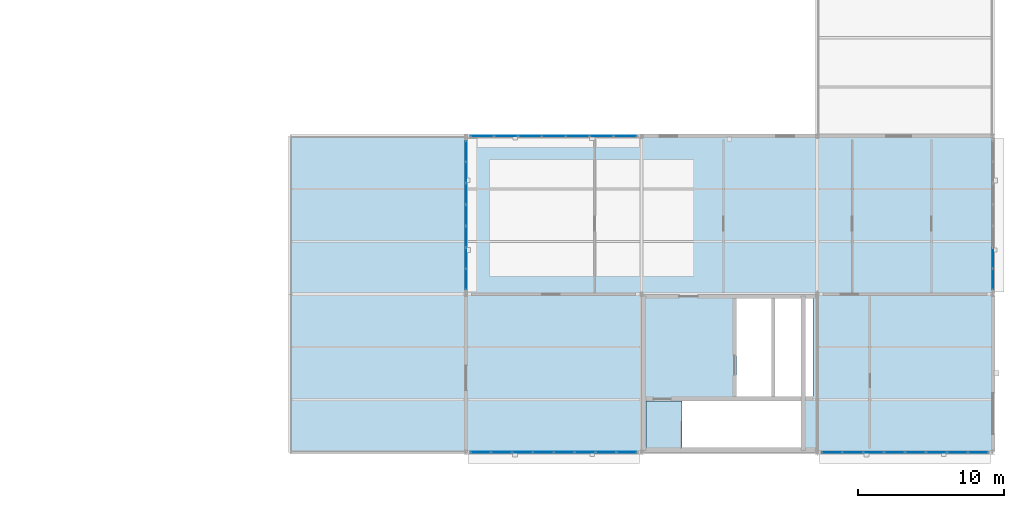
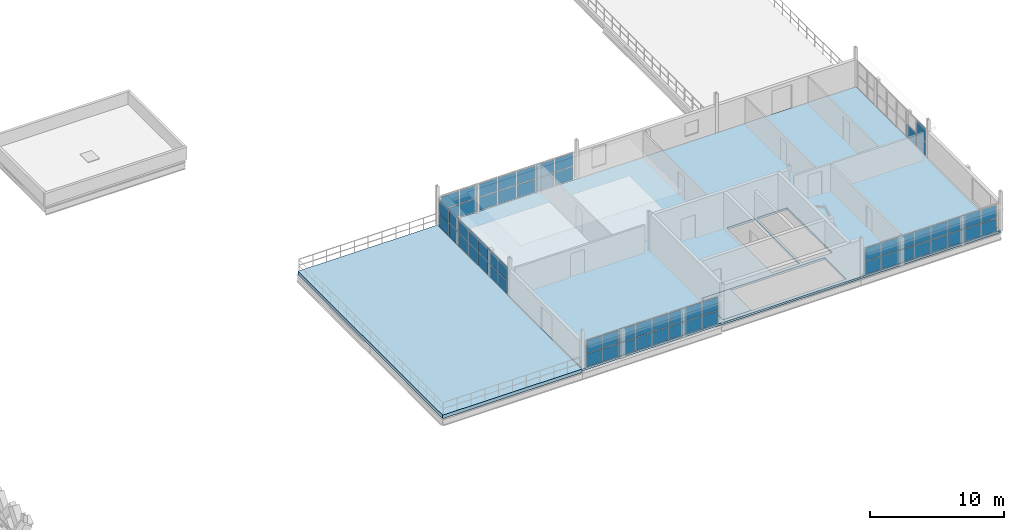
# One storey, part 39 of 62: 63 plates, 3 slabs, 5 elements without a shape of their own.
"""IFC4 building model written with IfcOpenShell, lengths in metres."""

import ifcopenshell
import ifcopenshell.guid

model = None  # the IFC model being written
_history = None  # IfcOwnerHistory: only IFC2X3 demands one
_inside = {}  # id of a spatial element -> (the spatial element, [elements in it])
_under = {}  # id of a project, library or spatial element -> (it, [spatial elements below it])
_declared = {}  # id of a project -> (the project, [libraries it declares])
_typed = {}  # id of a type object -> (the type object, [elements of that type])
_made_of = {}  # id of a material, layer set ... -> (it, [elements and type objects made of it])


def new_model(schema):
    """Start an empty IFC model of exactly this schema.

    Asked for "IFC4X3", IfcOpenShell would pick the latest addendum, in which some entities
    have other attributes; the version numbers below select the first issue.
    IFC2X3 requires an IfcOwnerHistory on every rooted entity: one is made here for all.
    """
    global model, _history
    if schema == "IFC4X3":
        model = ifcopenshell.file(schema_version=(4, 3, 0, 0))
    else:
        model = ifcopenshell.file(schema=schema)
    _inside.clear()
    _under.clear()
    _declared.clear()
    _typed.clear()
    _made_of.clear()
    _history = None
    if model.schema == "IFC2X3":
        org = make("IfcOrganization", Name="unknown")
        user = make(
            "IfcPersonAndOrganization",
            ThePerson=make("IfcPerson", FamilyName="unknown"),
            TheOrganization=org,
        )
        app = make(
            "IfcApplication",
            ApplicationDeveloper=org,
            Version="unknown",
            ApplicationFullName="unknown",
            ApplicationIdentifier="unknown",
        )
        _history = make(
            "IfcOwnerHistory",
            OwningUser=user,
            OwningApplication=app,
            ChangeAction="ADDED",
            CreationDate=0,
        )
    return model


def make(cls, **values):
    """One entity of the class cls with the attributes given. An attribute that is None is left unset."""
    return model.create_entity(
        cls, **{name: value for name, value in values.items() if value is not None}
    )


def rooted(cls, **values):
    """An entity with a GlobalId (a new one), such as an element, a storey or a relation."""
    return make(cls, GlobalId=ifcopenshell.guid.new(), OwnerHistory=_history, **values)


def si_unit(unit_type, name, prefix=None):
    """IfcSIUnit, for example si_unit("LENGTHUNIT", "METRE", prefix="MILLI")."""
    return make("IfcSIUnit", UnitType=unit_type, Prefix=prefix, Name=name)


def assignment(units):
    """IfcUnitAssignment: the units of a project."""
    return None if units is None else make("IfcUnitAssignment", Units=units)


def point(xyz):
    """IfcCartesianPoint."""
    return None if xyz is None else make("IfcCartesianPoint", Coordinates=xyz)


def direction(xyz):
    """IfcDirection."""
    return None if xyz is None else make("IfcDirection", DirectionRatios=xyz)


def frame(location, z_axis=None, x_axis=None):
    """IfcAxis2Placement3D, a coordinate frame: its origin and axes. An axis left out is left unset."""
    return make(
        "IfcAxis2Placement3D",
        Location=point(location),
        Axis=direction(z_axis),
        RefDirection=direction(x_axis),
    )


def frame_2d(location, x_axis=None):
    """IfcAxis2Placement2D, a coordinate frame in the plane: its origin and x axis."""
    return make(
        "IfcAxis2Placement2D", Location=point(location), RefDirection=direction(x_axis)
    )


def origin():
    """The frame at (0, 0, 0) with its axes left unset."""
    return frame((0.0, 0.0, 0.0))


def origin_2d():
    """The frame at (0, 0) in the plane with its x axis left unset."""
    return frame_2d((0.0, 0.0))


def place(relative_to, where):
    """IfcLocalPlacement: puts the frame where relative to a parent placement (None: the world)."""
    return make(
        "IfcLocalPlacement", PlacementRelTo=relative_to, RelativePlacement=where
    )


def context(
    kind, dimensions, precision=None, world=None, true_north=None, identifier=None
):
    """IfcGeometricRepresentationContext, for example the 3D "Model" context."""
    return make(
        "IfcGeometricRepresentationContext",
        ContextIdentifier=identifier,
        ContextType=kind,
        CoordinateSpaceDimension=dimensions,
        Precision=precision,
        WorldCoordinateSystem=world,
        TrueNorth=true_north,
    )


def subcontext(parent, identifier, kind, view, scale=None):
    """IfcGeometricRepresentationSubContext, for example "Body" below "Model"."""
    return make(
        "IfcGeometricRepresentationSubContext",
        ContextIdentifier=identifier,
        ContextType=kind,
        ParentContext=parent,
        TargetScale=scale,
        TargetView=view,
    )


def project(units=None, contexts=None):
    """IfcProject with its units and contexts."""
    return rooted(
        "IfcProject",
        Name="project",
        RepresentationContexts=contexts,
        UnitsInContext=assignment(units),
    )


def spatial(cls, under=None, at=None, **own):
    """A site, building, storey or space (cls), placed at a placement, below another one or the project."""
    s = rooted(cls, ObjectPlacement=at, **own)
    if under is not None:
        _under.setdefault(under.id(), (under, []))[1].append(s)
    return s


def polyline(points):
    """IfcPolyline through the points."""
    return make("IfcPolyline", Points=[point(p) for p in points])


def profile(cls, at=None, kind="AREA", **sizes):
    """A parametric profile (cls). Its sizes go by their IFC names, for example OverallWidth=200.0."""
    return make(cls, ProfileType=kind, Position=at, **sizes)


def rectangle(**sizes):
    """IfcRectangleProfileDef."""
    return profile("IfcRectangleProfileDef", **sizes)


def outline(outer, holes=None, kind="AREA"):
    """IfcArbitraryClosedProfileDef: a profile drawn as a closed curve; with holes, ...WithVoids."""
    if holes is None:
        return make("IfcArbitraryClosedProfileDef", ProfileType=kind, OuterCurve=outer)
    return make(
        "IfcArbitraryProfileDefWithVoids",
        ProfileType=kind,
        OuterCurve=outer,
        InnerCurves=holes,
    )


def extrude(swept, where, along, depth):
    """IfcExtrudedAreaSolid: the profile swept, set in the frame where, extruded along a direction by depth."""
    return make(
        "IfcExtrudedAreaSolid",
        SweptArea=swept,
        Position=where,
        ExtrudedDirection=direction(along),
        Depth=depth,
    )


def shape(context_of_items, identifier, shape_type, items):
    """IfcShapeRepresentation: the items that make up one representation, for example the "Body"."""
    return make(
        "IfcShapeRepresentation",
        ContextOfItems=context_of_items,
        RepresentationIdentifier=identifier,
        RepresentationType=shape_type,
        Items=items,
    )


def material(Name=None, Category=None):
    """IfcMaterial."""
    return make("IfcMaterial", Name=Name, Category=Category)


def layer(
    of_material, thickness, ventilated=None, Name=None, Category=None, Priority=None
):
    """IfcMaterialLayer: one layer of a wall or slab, of a material (None: an air gap)."""
    return make(
        "IfcMaterialLayer",
        Material=of_material,
        LayerThickness=thickness,
        IsVentilated=ventilated,
        Name=Name,
        Category=Category,
        Priority=Priority,
    )


def layer_set(layers, Name=None):
    """IfcMaterialLayerSet."""
    return make("IfcMaterialLayerSet", MaterialLayers=layers, LayerSetName=Name)


def made_of(thing, what):
    """Note that an element or type object is made of a material, layer set ...; save() writes the relation."""
    if what is not None:
        _made_of.setdefault(what.id(), (what, []))[1].append(thing)
    return thing


def type_object(cls, material=None, **own):
    """A type object (cls), such as IfcWallType, which elements share."""
    return made_of(rooted(cls, **own), material)


def element(
    cls,
    number,
    at=None,
    inside=None,
    cuts=None,
    type_object=None,
    material=None,
    context=None,
    identifier="Body",
    shape_type=None,
    held_by="IfcProductDefinitionShape",
    body=None,
    shapes=None,
    **own,
):
    """One element of the class cls, such as IfcWall. Its Tag is "e" and its number.

    at: its placement. inside: the storey or other place that contains it. cuts: it is an
    opening in that element (IfcRelVoidsElement). A single representation is given by context,
    identifier, shape_type and body (its items); several are given by shapes. held_by: the class
    of the entity that holds the representations. save() writes the other relations.
    """
    e = rooted(cls, Tag="e%d" % number, ObjectPlacement=at, **own)
    if body is not None:
        shapes = [shape(context, identifier, shape_type, body)]
    if shapes is not None:
        e.Representation = make(held_by, Representations=shapes)
    if inside is not None:
        _inside.setdefault(inside.id(), (inside, []))[1].append(e)
    if cuts is not None:
        rooted(
            "IfcRelVoidsElement", RelatingBuildingElement=cuts, RelatedOpeningElement=e
        )
    if type_object is not None:
        _typed.setdefault(type_object.id(), (type_object, []))[1].append(e)
    return made_of(e, material)


def aggregate(whole, parts):
    """IfcRelAggregates: a whole, such as a stair, and the parts it consists of."""
    return rooted("IfcRelAggregates", RelatingObject=whole, RelatedObjects=parts)


def save(model, path):
    """Write the relations noted so far, then the file.

    IfcRelAggregates (storeys below a building ...), IfcRelContainedInSpatialStructure (elements
    in a storey), IfcRelDefinesByType, IfcRelAssociatesMaterial and IfcRelDeclares: one each for
    every whole, place, type object, material and project.
    """
    for whole, parts in _under.values():
        aggregate(whole, parts)
    for where, things in _inside.values():
        rooted(
            "IfcRelContainedInSpatialStructure",
            RelatedElements=things,
            RelatingStructure=where,
        )
    for kind, things in _typed.values():
        rooted("IfcRelDefinesByType", RelatedObjects=things, RelatingType=kind)
    for what, things in _made_of.values():
        rooted("IfcRelAssociatesMaterial", RelatedObjects=things, RelatingMaterial=what)
    for by, libraries in _declared.values():
        rooted("IfcRelDeclares", RelatingContext=by, RelatedDefinitions=libraries)
    model.write(path)


model = new_model("IFC4")

# Units and contexts
model_context = context("Model", 3, precision=1e-05, world=origin(), true_north=direction((0.0, 1.0)))
body_context = subcontext(model_context, "Body", "Model", "MODEL_VIEW")
ifc_project = project(units=[si_unit("LENGTHUNIT", "METRE"), si_unit("AREAUNIT", "SQUARE_METRE"), si_unit("VOLUMEUNIT", "CUBIC_METRE"), si_unit("PLANEANGLEUNIT", "RADIAN"), si_unit("MASSUNIT", "GRAM", prefix="KILO"), si_unit("THERMODYNAMICTEMPERATUREUNIT", "KELVIN"), si_unit("POWERUNIT", "WATT")], contexts=[model_context])

# Site, building, storey
site_placement = place(None, origin())
site = spatial("IfcSite", under=ifc_project, at=site_placement, CompositionType="ELEMENT")
building_placement = place(site_placement, origin())
building = spatial("IfcBuilding", under=site, at=building_placement, Name="Tembeka Court Mobility Hub", CompositionType="ELEMENT")
storey_placement = place(building_placement, frame((0.0, 0.0, 16.199951171875)))
storey = spatial("IfcBuildingStorey", under=building, at=storey_placement, Name="L04", CompositionType="ELEMENT", Elevation=16.199951171875)

# Curtain wall, plates
ifc_material_1 = material(Name="Anodised aluminium 6063-T6", Category="aluminium")
ifc_layer_1 = layer(ifc_material_1, 0.159912109375)
ifc_layer_set_1 = layer_set([ifc_layer_1], Name="Anodised aluminium 6063-T6")
curtain_wall_type_1 = type_object("IfcCurtainWallType", Name="CW-SYS41", PredefinedType="USERDEFINED", material=ifc_layer_set_1)
curtain_wall_1_placement = place(storey_placement, origin())
curtain_wall_1 = element("IfcCurtainWall", 1, at=curtain_wall_1_placement, inside=storey, type_object=curtain_wall_type_1, Name="Unitised curtain wall CW41 (CW-L04-145)", ObjectType="UNITISED GLAZING", PredefinedType="USERDEFINED")
ifc_material_2 = material(Name="Laminated solar-control low-E glass", Category="glass")
ifc_layer_2 = layer(ifc_material_2, 0.028076171875)
ifc_layer_set_2 = layer_set([ifc_layer_2], Name="Laminated solar-control low-E glass")
plate_type_1 = type_object("IfcPlateType", Name="PL-CW01", PredefinedType="CURTAIN_PANEL", material=ifc_layer_set_2)
plate_1_placement = place(storey_placement, frame((165.4111328125, 0.0, 0.065185546875), z_axis=(0.0, 0.0, 1.0), x_axis=(1.0, 0.0, 0.0)))
plate_1 = element("IfcPlate", 2, at=plate_1_placement, type_object=plate_type_1, Name="CW41 panel 1.1", PredefinedType="CURTAIN_PANEL", context=body_context, shape_type="SweptSolid", body=[
    extrude(rectangle(XDim=1.33251953125, YDim=0.028076171875, at=origin_2d()), origin(), (0.0, 0.0, 1.0), 1.169921875),
])
plate_2_placement = place(storey_placement, frame((165.4111328125, 0.0, 1.300048828125), z_axis=(0.0, 0.0, 1.0), x_axis=(1.0, 0.0, 0.0)))
plate_2 = element("IfcPlate", 3, at=plate_2_placement, type_object=plate_type_1, Name="CW41 panel 1.2", PredefinedType="CURTAIN_PANEL", context=body_context, shape_type="SweptSolid", body=[
    extrude(rectangle(XDim=1.33251953125, YDim=0.028076171875, at=origin_2d()), origin(), (0.0, 0.0, 1.0), 1.169921875),
])
plate_3_placement = place(storey_placement, frame((166.824951171875, 0.0, 0.065185546875), z_axis=(0.0, 0.0, 1.0), x_axis=(1.0, 0.0, 0.0)))
plate_3 = element("IfcPlate", 4, at=plate_3_placement, type_object=plate_type_1, Name="CW41 panel 2.1", PredefinedType="CURTAIN_PANEL", context=body_context, shape_type="SweptSolid", body=[
    extrude(rectangle(XDim=1.364990234375, YDim=0.028076171875, at=origin_2d()), origin(), (0.0, 0.0, 1.0), 1.169921875),
])
plate_4_placement = place(storey_placement, frame((166.824951171875, 0.0, 1.300048828125), z_axis=(0.0, 0.0, 1.0), x_axis=(1.0, 0.0, 0.0)))
plate_4 = element("IfcPlate", 5, at=plate_4_placement, type_object=plate_type_1, Name="CW41 panel 2.2", PredefinedType="CURTAIN_PANEL", context=body_context, shape_type="SweptSolid", body=[
    extrude(rectangle(XDim=1.364990234375, YDim=0.028076171875, at=origin_2d()), origin(), (0.0, 0.0, 1.0), 1.169921875),
])
plate_5_placement = place(storey_placement, frame((168.2548828125, 0.0, 0.065185546875), z_axis=(0.0, 0.0, 1.0), x_axis=(1.0, 0.0, 0.0)))
plate_5 = element("IfcPlate", 6, at=plate_5_placement, type_object=plate_type_1, Name="CW41 panel 3.1", PredefinedType="CURTAIN_PANEL", context=body_context, shape_type="SweptSolid", body=[
    extrude(rectangle(XDim=1.364990234375, YDim=0.028076171875, at=origin_2d()), origin(), (0.0, 0.0, 1.0), 1.169921875),
])
plate_6_placement = place(storey_placement, frame((168.2548828125, 0.0, 1.300048828125), z_axis=(0.0, 0.0, 1.0), x_axis=(1.0, 0.0, 0.0)))
plate_6 = element("IfcPlate", 7, at=plate_6_placement, type_object=plate_type_1, Name="CW41 panel 3.2", PredefinedType="CURTAIN_PANEL", context=body_context, shape_type="SweptSolid", body=[
    extrude(rectangle(XDim=1.364990234375, YDim=0.028076171875, at=origin_2d()), origin(), (0.0, 0.0, 1.0), 1.169921875),
])
plate_7_placement = place(storey_placement, frame((169.68505859375, 0.0, 0.065185546875), z_axis=(0.0, 0.0, 1.0), x_axis=(1.0, 0.0, 0.0)))
plate_7 = element("IfcPlate", 8, at=plate_7_placement, type_object=plate_type_1, Name="CW41 panel 4.1", PredefinedType="CURTAIN_PANEL", context=body_context, shape_type="SweptSolid", body=[
    extrude(rectangle(XDim=1.364990234375, YDim=0.028076171875, at=origin_2d()), origin(), (0.0, 0.0, 1.0), 1.169921875),
])
plate_8_placement = place(storey_placement, frame((169.68505859375, 0.0, 1.300048828125), z_axis=(0.0, 0.0, 1.0), x_axis=(1.0, 0.0, 0.0)))
plate_8 = element("IfcPlate", 9, at=plate_8_placement, type_object=plate_type_1, Name="CW41 panel 4.2", PredefinedType="CURTAIN_PANEL", context=body_context, shape_type="SweptSolid", body=[
    extrude(rectangle(XDim=1.364990234375, YDim=0.028076171875, at=origin_2d()), origin(), (0.0, 0.0, 1.0), 1.169921875),
])
plate_9_placement = place(storey_placement, frame((171.114990234375, 0.0, 0.065185546875), z_axis=(0.0, 0.0, 1.0), x_axis=(1.0, 0.0, 0.0)))
plate_9 = element("IfcPlate", 10, at=plate_9_placement, type_object=plate_type_1, Name="CW41 panel 5.1", PredefinedType="CURTAIN_PANEL", context=body_context, shape_type="SweptSolid", body=[
    extrude(rectangle(XDim=1.364990234375, YDim=0.028076171875, at=origin_2d()), origin(), (0.0, 0.0, 1.0), 1.169921875),
])
plate_10_placement = place(storey_placement, frame((171.114990234375, 0.0, 1.300048828125), z_axis=(0.0, 0.0, 1.0), x_axis=(1.0, 0.0, 0.0)))
plate_10 = element("IfcPlate", 11, at=plate_10_placement, type_object=plate_type_1, Name="CW41 panel 5.2", PredefinedType="CURTAIN_PANEL", context=body_context, shape_type="SweptSolid", body=[
    extrude(rectangle(XDim=1.364990234375, YDim=0.028076171875, at=origin_2d()), origin(), (0.0, 0.0, 1.0), 1.169921875),
])
plate_11_placement = place(storey_placement, frame((172.544921875, 0.0, 0.065185546875), z_axis=(0.0, 0.0, 1.0), x_axis=(1.0, 0.0, 0.0)))
plate_11 = element("IfcPlate", 12, at=plate_11_placement, type_object=plate_type_1, Name="CW41 panel 6.1", PredefinedType="CURTAIN_PANEL", context=body_context, shape_type="SweptSolid", body=[
    extrude(rectangle(XDim=1.364990234375, YDim=0.028076171875, at=origin_2d()), origin(), (0.0, 0.0, 1.0), 1.169921875),
])
plate_12_placement = place(storey_placement, frame((172.544921875, 0.0, 1.300048828125), z_axis=(0.0, 0.0, 1.0), x_axis=(1.0, 0.0, 0.0)))
plate_12 = element("IfcPlate", 13, at=plate_12_placement, type_object=plate_type_1, Name="CW41 panel 6.2", PredefinedType="CURTAIN_PANEL", context=body_context, shape_type="SweptSolid", body=[
    extrude(rectangle(XDim=1.364990234375, YDim=0.028076171875, at=origin_2d()), origin(), (0.0, 0.0, 1.0), 1.169921875),
])
plate_13_placement = place(storey_placement, frame((173.97509765625, 0.0, 0.065185546875), z_axis=(0.0, 0.0, 1.0), x_axis=(1.0, 0.0, 0.0)))
plate_13 = element("IfcPlate", 14, at=plate_13_placement, type_object=plate_type_1, Name="CW41 panel 7.1", PredefinedType="CURTAIN_PANEL", context=body_context, shape_type="SweptSolid", body=[
    extrude(rectangle(XDim=1.364990234375, YDim=0.028076171875, at=origin_2d()), origin(), (0.0, 0.0, 1.0), 1.169921875),
])
plate_14_placement = place(storey_placement, frame((173.97509765625, 0.0, 1.300048828125), z_axis=(0.0, 0.0, 1.0), x_axis=(1.0, 0.0, 0.0)))
plate_14 = element("IfcPlate", 15, at=plate_14_placement, type_object=plate_type_1, Name="CW41 panel 7.2", PredefinedType="CURTAIN_PANEL", context=body_context, shape_type="SweptSolid", body=[
    extrude(rectangle(XDim=1.364990234375, YDim=0.028076171875, at=origin_2d()), origin(), (0.0, 0.0, 1.0), 1.169921875),
])
plate_15_placement = place(storey_placement, frame((175.388671875, 0.0, 0.065185546875), z_axis=(0.0, 0.0, 1.0), x_axis=(1.0, 0.0, 0.0)))
plate_15 = element("IfcPlate", 16, at=plate_15_placement, type_object=plate_type_1, Name="CW41 panel 8.1", PredefinedType="CURTAIN_PANEL", context=body_context, shape_type="SweptSolid", body=[
    extrude(rectangle(XDim=1.33251953125, YDim=0.028076171875, at=origin_2d()), origin(), (0.0, 0.0, 1.0), 1.169921875),
])
plate_16_placement = place(storey_placement, frame((175.388671875, 0.0, 1.300048828125), z_axis=(0.0, 0.0, 1.0), x_axis=(1.0, 0.0, 0.0)))
plate_16 = element("IfcPlate", 17, at=plate_16_placement, type_object=plate_type_1, Name="CW41 panel 8.2", PredefinedType="CURTAIN_PANEL", context=body_context, shape_type="SweptSolid", body=[
    extrude(rectangle(XDim=1.33251953125, YDim=0.028076171875, at=origin_2d()), origin(), (0.0, 0.0, 1.0), 1.169921875),
])
aggregate(curtain_wall_1, [plate_1, plate_2, plate_3, plate_4, plate_5, plate_6, plate_7, plate_8, plate_9, plate_10, plate_11, plate_12, plate_13, plate_14, plate_15, plate_16])

ifc_layer_3 = layer(ifc_material_1, 0.159912109375)
ifc_layer_set_3 = layer_set([ifc_layer_3], Name="Anodised aluminium 6063-T6")
curtain_wall_type_2 = type_object("IfcCurtainWallType", Name="CW-SYS42", PredefinedType="USERDEFINED", material=ifc_layer_set_3)
curtain_wall_2_placement = place(storey_placement, origin())
curtain_wall_2 = element("IfcCurtainWall", 18, at=curtain_wall_2_placement, inside=storey, type_object=curtain_wall_type_2, Name="Unitised curtain wall CW42 (CW-L04-146)", ObjectType="UNITISED GLAZING", PredefinedType="USERDEFINED")
plate_17_placement = place(storey_placement, frame((176.39990234375, 11.82763671875, 0.065185546875), z_axis=(0.0, 0.0, 1.0), x_axis=(0.0, 1.0, 0.0)))
plate_17 = element("IfcPlate", 19, at=plate_17_placement, type_object=plate_type_1, Name="CW42 panel 1.1", PredefinedType="CURTAIN_PANEL", context=body_context, shape_type="SweptSolid", body=[
    extrude(rectangle(XDim=1.365478515625, YDim=0.028076171875, at=origin_2d()), origin(), (0.0, 0.0, 1.0), 1.169921875),
])
plate_18_placement = place(storey_placement, frame((176.39990234375, 11.82763671875, 1.300048828125), z_axis=(0.0, 0.0, 1.0), x_axis=(0.0, 1.0, 0.0)))
plate_18 = element("IfcPlate", 20, at=plate_18_placement, type_object=plate_type_1, Name="CW42 panel 1.2", PredefinedType="CURTAIN_PANEL", context=body_context, shape_type="SweptSolid", body=[
    extrude(rectangle(XDim=1.365478515625, YDim=0.028076171875, at=origin_2d()), origin(), (0.0, 0.0, 1.0), 1.169921875),
])
plate_19_placement = place(storey_placement, frame((176.39990234375, 13.274169921875, 0.065185546875), z_axis=(0.0, 0.0, 1.0), x_axis=(0.0, 1.0, 0.0)))
plate_19 = element("IfcPlate", 21, at=plate_19_placement, type_object=plate_type_1, Name="CW42 panel 2.1", PredefinedType="CURTAIN_PANEL", context=body_context, shape_type="SweptSolid", body=[
    extrude(rectangle(XDim=1.39794921875, YDim=0.028076171875, at=origin_2d()), origin(), (0.0, 0.0, 1.0), 1.169921875),
])
aggregate(curtain_wall_2, [plate_17, plate_18, plate_19])

curtain_wall_3_placement = place(storey_placement, origin())
curtain_wall_3 = element("IfcCurtainWall", 22, at=curtain_wall_3_placement, inside=storey, type_object=curtain_wall_type_1, Name="Unitised curtain wall CW41 (CW-L04-147)", ObjectType="UNITISED GLAZING", PredefinedType="USERDEFINED")
plate_20_placement = place(storey_placement, frame((141.513427734375, 21.60009765625, 0.065185546875), z_axis=(0.0, 0.0, 1.0), x_axis=(1.0, 0.0, 0.0)))
plate_20 = element("IfcPlate", 23, at=plate_20_placement, type_object=plate_type_1, Name="CW41 panel 1.1", PredefinedType="CURTAIN_PANEL", context=body_context, shape_type="SweptSolid", body=[
    extrude(rectangle(XDim=1.536865234375, YDim=0.028076171875, at=origin_2d()), origin(), (0.0, 0.0, 1.0), 1.169921875),
])
plate_21_placement = place(storey_placement, frame((141.513427734375, 21.60009765625, 1.300048828125), z_axis=(0.0, 0.0, 1.0), x_axis=(1.0, 0.0, 0.0)))
plate_21 = element("IfcPlate", 24, at=plate_21_placement, type_object=plate_type_1, Name="CW41 panel 1.2", PredefinedType="CURTAIN_PANEL", context=body_context, shape_type="SweptSolid", body=[
    extrude(rectangle(XDim=1.536865234375, YDim=0.028076171875, at=origin_2d()), origin(), (0.0, 0.0, 1.0), 1.169921875),
])
plate_22_placement = place(storey_placement, frame((143.13134765625, 21.60009765625, 0.065185546875), z_axis=(0.0, 0.0, 1.0), x_axis=(1.0, 0.0, 0.0)))
plate_22 = element("IfcPlate", 25, at=plate_22_placement, type_object=plate_type_1, Name="CW41 panel 2.1", PredefinedType="CURTAIN_PANEL", context=body_context, shape_type="SweptSolid", body=[
    extrude(rectangle(XDim=1.5693359375, YDim=0.028076171875, at=origin_2d()), origin(), (0.0, 0.0, 1.0), 1.169921875),
])
plate_23_placement = place(storey_placement, frame((143.13134765625, 21.60009765625, 1.300048828125), z_axis=(0.0, 0.0, 1.0), x_axis=(1.0, 0.0, 0.0)))
plate_23 = element("IfcPlate", 26, at=plate_23_placement, type_object=plate_type_1, Name="CW41 panel 2.2", PredefinedType="CURTAIN_PANEL", context=body_context, shape_type="SweptSolid", body=[
    extrude(rectangle(XDim=1.5693359375, YDim=0.028076171875, at=origin_2d()), origin(), (0.0, 0.0, 1.0), 1.169921875),
])
plate_24_placement = place(storey_placement, frame((144.765625, 21.60009765625, 0.065185546875), z_axis=(0.0, 0.0, 1.0), x_axis=(1.0, 0.0, 0.0)))
plate_24 = element("IfcPlate", 27, at=plate_24_placement, type_object=plate_type_1, Name="CW41 panel 3.1", PredefinedType="CURTAIN_PANEL", context=body_context, shape_type="SweptSolid", body=[
    extrude(rectangle(XDim=1.5693359375, YDim=0.028076171875, at=origin_2d()), origin(), (0.0, 0.0, 1.0), 1.169921875),
])
plate_25_placement = place(storey_placement, frame((144.765625, 21.60009765625, 1.300048828125), z_axis=(0.0, 0.0, 1.0), x_axis=(1.0, 0.0, 0.0)))
plate_25 = element("IfcPlate", 28, at=plate_25_placement, type_object=plate_type_1, Name="CW41 panel 3.2", PredefinedType="CURTAIN_PANEL", context=body_context, shape_type="SweptSolid", body=[
    extrude(rectangle(XDim=1.5693359375, YDim=0.028076171875, at=origin_2d()), origin(), (0.0, 0.0, 1.0), 1.169921875),
])
plate_26_placement = place(storey_placement, frame((146.39990234375, 21.60009765625, 0.065185546875), z_axis=(0.0, 0.0, 1.0), x_axis=(1.0, 0.0, 0.0)))
plate_26 = element("IfcPlate", 29, at=plate_26_placement, type_object=plate_type_1, Name="CW41 panel 4.1", PredefinedType="CURTAIN_PANEL", context=body_context, shape_type="SweptSolid", body=[
    extrude(rectangle(XDim=1.5693359375, YDim=0.028076171875, at=origin_2d()), origin(), (0.0, 0.0, 1.0), 1.169921875),
])
plate_27_placement = place(storey_placement, frame((146.39990234375, 21.60009765625, 1.300048828125), z_axis=(0.0, 0.0, 1.0), x_axis=(1.0, 0.0, 0.0)))
plate_27 = element("IfcPlate", 30, at=plate_27_placement, type_object=plate_type_1, Name="CW41 panel 4.2", PredefinedType="CURTAIN_PANEL", context=body_context, shape_type="SweptSolid", body=[
    extrude(rectangle(XDim=1.5693359375, YDim=0.028076171875, at=origin_2d()), origin(), (0.0, 0.0, 1.0), 1.169921875),
])
plate_28_placement = place(storey_placement, frame((148.0341796875, 21.60009765625, 0.065185546875), z_axis=(0.0, 0.0, 1.0), x_axis=(1.0, 0.0, 0.0)))
plate_28 = element("IfcPlate", 31, at=plate_28_placement, type_object=plate_type_1, Name="CW41 panel 5.1", PredefinedType="CURTAIN_PANEL", context=body_context, shape_type="SweptSolid", body=[
    extrude(rectangle(XDim=1.5693359375, YDim=0.028076171875, at=origin_2d()), origin(), (0.0, 0.0, 1.0), 1.169921875),
])
plate_29_placement = place(storey_placement, frame((148.0341796875, 21.60009765625, 1.300048828125), z_axis=(0.0, 0.0, 1.0), x_axis=(1.0, 0.0, 0.0)))
plate_29 = element("IfcPlate", 32, at=plate_29_placement, type_object=plate_type_1, Name="CW41 panel 5.2", PredefinedType="CURTAIN_PANEL", context=body_context, shape_type="SweptSolid", body=[
    extrude(rectangle(XDim=1.5693359375, YDim=0.028076171875, at=origin_2d()), origin(), (0.0, 0.0, 1.0), 1.169921875),
])
plate_30_placement = place(storey_placement, frame((149.66845703125, 21.60009765625, 0.065185546875), z_axis=(0.0, 0.0, 1.0), x_axis=(1.0, 0.0, 0.0)))
plate_30 = element("IfcPlate", 33, at=plate_30_placement, type_object=plate_type_1, Name="CW41 panel 6.1", PredefinedType="CURTAIN_PANEL", context=body_context, shape_type="SweptSolid", body=[
    extrude(rectangle(XDim=1.5693359375, YDim=0.028076171875, at=origin_2d()), origin(), (0.0, 0.0, 1.0), 1.169921875),
])
plate_31_placement = place(storey_placement, frame((149.66845703125, 21.60009765625, 1.300048828125), z_axis=(0.0, 0.0, 1.0), x_axis=(1.0, 0.0, 0.0)))
plate_31 = element("IfcPlate", 34, at=plate_31_placement, type_object=plate_type_1, Name="CW41 panel 6.2", PredefinedType="CURTAIN_PANEL", context=body_context, shape_type="SweptSolid", body=[
    extrude(rectangle(XDim=1.5693359375, YDim=0.028076171875, at=origin_2d()), origin(), (0.0, 0.0, 1.0), 1.169921875),
])
plate_32_placement = place(storey_placement, frame((151.28662109375, 21.60009765625, 0.065185546875), z_axis=(0.0, 0.0, 1.0), x_axis=(1.0, 0.0, 0.0)))
plate_32 = element("IfcPlate", 35, at=plate_32_placement, type_object=plate_type_1, Name="CW41 panel 7.1", PredefinedType="CURTAIN_PANEL", context=body_context, shape_type="SweptSolid", body=[
    extrude(rectangle(XDim=1.536865234375, YDim=0.028076171875, at=origin_2d()), origin(), (0.0, 0.0, 1.0), 1.169921875),
])
plate_33_placement = place(storey_placement, frame((151.28662109375, 21.60009765625, 1.300048828125), z_axis=(0.0, 0.0, 1.0), x_axis=(1.0, 0.0, 0.0)))
plate_33 = element("IfcPlate", 36, at=plate_33_placement, type_object=plate_type_1, Name="CW41 panel 7.2", PredefinedType="CURTAIN_PANEL", context=body_context, shape_type="SweptSolid", body=[
    extrude(rectangle(XDim=1.536865234375, YDim=0.028076171875, at=origin_2d()), origin(), (0.0, 0.0, 1.0), 1.169921875),
])
aggregate(curtain_wall_3, [plate_20, plate_21, plate_22, plate_23, plate_24, plate_25, plate_26, plate_27, plate_28, plate_29, plate_30, plate_31, plate_32, plate_33])

curtain_wall_4_placement = place(storey_placement, origin())
curtain_wall_4 = element("IfcCurtainWall", 37, at=curtain_wall_4_placement, inside=storey, type_object=curtain_wall_type_1, Name="Unitised curtain wall CW41 (CW-L04-144)", ObjectType="UNITISED GLAZING", PredefinedType="USERDEFINED")
ifc_material_3 = material(Name="Insulated aluminium spandrel panel", Category="aluminium")
ifc_layer_4 = layer(ifc_material_3, 0.052001953125)
ifc_layer_set_4 = layer_set([ifc_layer_4], Name="Insulated aluminium spandrel panel")
plate_type_2 = type_object("IfcPlateType", Name="PL-CW02", PredefinedType="CURTAIN_PANEL", material=ifc_layer_set_4)
plate_34_placement = place(storey_placement, frame((141.4111328125, 0.0, 0.065185546875), z_axis=(0.0, 0.0, 1.0), x_axis=(1.0, 0.0, 0.0)))
plate_34 = element("IfcPlate", 38, at=plate_34_placement, type_object=plate_type_2, Name="CW41 panel 1.1", PredefinedType="CURTAIN_PANEL", context=body_context, shape_type="SweptSolid", body=[
    extrude(rectangle(XDim=1.33251953125, YDim=0.052001953125, at=origin_2d()), origin(), (0.0, 0.0, 1.0), 1.169921875),
])
plate_35_placement = place(storey_placement, frame((141.4111328125, 0.0, 1.300048828125), z_axis=(0.0, 0.0, 1.0), x_axis=(1.0, 0.0, 0.0)))
plate_35 = element("IfcPlate", 39, at=plate_35_placement, type_object=plate_type_2, Name="CW41 panel 1.2", PredefinedType="CURTAIN_PANEL", context=body_context, shape_type="SweptSolid", body=[
    extrude(rectangle(XDim=1.33251953125, YDim=0.052001953125, at=origin_2d()), origin(), (0.0, 0.0, 1.0), 1.169921875),
])
plate_36_placement = place(storey_placement, frame((142.824951171875, 0.0, 0.065185546875), z_axis=(0.0, 0.0, 1.0), x_axis=(1.0, 0.0, 0.0)))
plate_36 = element("IfcPlate", 40, at=plate_36_placement, type_object=plate_type_2, Name="CW41 panel 2.1", PredefinedType="CURTAIN_PANEL", context=body_context, shape_type="SweptSolid", body=[
    extrude(rectangle(XDim=1.364990234375, YDim=0.052001953125, at=origin_2d()), origin(), (0.0, 0.0, 1.0), 1.169921875),
])
plate_37_placement = place(storey_placement, frame((142.824951171875, 0.0, 1.300048828125), z_axis=(0.0, 0.0, 1.0), x_axis=(1.0, 0.0, 0.0)))
plate_37 = element("IfcPlate", 41, at=plate_37_placement, type_object=plate_type_2, Name="CW41 panel 2.2", PredefinedType="CURTAIN_PANEL", context=body_context, shape_type="SweptSolid", body=[
    extrude(rectangle(XDim=1.364990234375, YDim=0.052001953125, at=origin_2d()), origin(), (0.0, 0.0, 1.0), 1.169921875),
])
plate_38_placement = place(storey_placement, frame((144.2548828125, 0.0, 0.065185546875), z_axis=(0.0, 0.0, 1.0), x_axis=(1.0, 0.0, 0.0)))
plate_38 = element("IfcPlate", 42, at=plate_38_placement, type_object=plate_type_2, Name="CW41 panel 3.1", PredefinedType="CURTAIN_PANEL", context=body_context, shape_type="SweptSolid", body=[
    extrude(rectangle(XDim=1.364990234375, YDim=0.052001953125, at=origin_2d()), origin(), (0.0, 0.0, 1.0), 1.169921875),
])
plate_39_placement = place(storey_placement, frame((144.2548828125, 0.0, 1.300048828125), z_axis=(0.0, 0.0, 1.0), x_axis=(1.0, 0.0, 0.0)))
plate_39 = element("IfcPlate", 43, at=plate_39_placement, type_object=plate_type_2, Name="CW41 panel 3.2", PredefinedType="CURTAIN_PANEL", context=body_context, shape_type="SweptSolid", body=[
    extrude(rectangle(XDim=1.364990234375, YDim=0.052001953125, at=origin_2d()), origin(), (0.0, 0.0, 1.0), 1.169921875),
])
plate_40_placement = place(storey_placement, frame((145.68505859375, 0.0, 0.065185546875), z_axis=(0.0, 0.0, 1.0), x_axis=(1.0, 0.0, 0.0)))
plate_40 = element("IfcPlate", 44, at=plate_40_placement, type_object=plate_type_2, Name="CW41 panel 4.1", PredefinedType="CURTAIN_PANEL", context=body_context, shape_type="SweptSolid", body=[
    extrude(rectangle(XDim=1.364990234375, YDim=0.052001953125, at=origin_2d()), origin(), (0.0, 0.0, 1.0), 1.169921875),
])
plate_41_placement = place(storey_placement, frame((145.68505859375, 0.0, 1.300048828125), z_axis=(0.0, 0.0, 1.0), x_axis=(1.0, 0.0, 0.0)))
plate_41 = element("IfcPlate", 45, at=plate_41_placement, type_object=plate_type_2, Name="CW41 panel 4.2", PredefinedType="CURTAIN_PANEL", context=body_context, shape_type="SweptSolid", body=[
    extrude(rectangle(XDim=1.364990234375, YDim=0.052001953125, at=origin_2d()), origin(), (0.0, 0.0, 1.0), 1.169921875),
])
plate_42_placement = place(storey_placement, frame((147.114990234375, 0.0, 0.065185546875), z_axis=(0.0, 0.0, 1.0), x_axis=(1.0, 0.0, 0.0)))
plate_42 = element("IfcPlate", 46, at=plate_42_placement, type_object=plate_type_2, Name="CW41 panel 5.1", PredefinedType="CURTAIN_PANEL", context=body_context, shape_type="SweptSolid", body=[
    extrude(rectangle(XDim=1.364990234375, YDim=0.052001953125, at=origin_2d()), origin(), (0.0, 0.0, 1.0), 1.169921875),
])
plate_43_placement = place(storey_placement, frame((147.114990234375, 0.0, 1.300048828125), z_axis=(0.0, 0.0, 1.0), x_axis=(1.0, 0.0, 0.0)))
plate_43 = element("IfcPlate", 47, at=plate_43_placement, type_object=plate_type_2, Name="CW41 panel 5.2", PredefinedType="CURTAIN_PANEL", context=body_context, shape_type="SweptSolid", body=[
    extrude(rectangle(XDim=1.364990234375, YDim=0.052001953125, at=origin_2d()), origin(), (0.0, 0.0, 1.0), 1.169921875),
])
plate_44_placement = place(storey_placement, frame((148.544921875, 0.0, 0.065185546875), z_axis=(0.0, 0.0, 1.0), x_axis=(1.0, 0.0, 0.0)))
plate_44 = element("IfcPlate", 48, at=plate_44_placement, type_object=plate_type_2, Name="CW41 panel 6.1", PredefinedType="CURTAIN_PANEL", context=body_context, shape_type="SweptSolid", body=[
    extrude(rectangle(XDim=1.364990234375, YDim=0.052001953125, at=origin_2d()), origin(), (0.0, 0.0, 1.0), 1.169921875),
])
plate_45_placement = place(storey_placement, frame((148.544921875, 0.0, 1.300048828125), z_axis=(0.0, 0.0, 1.0), x_axis=(1.0, 0.0, 0.0)))
plate_45 = element("IfcPlate", 49, at=plate_45_placement, type_object=plate_type_2, Name="CW41 panel 6.2", PredefinedType="CURTAIN_PANEL", context=body_context, shape_type="SweptSolid", body=[
    extrude(rectangle(XDim=1.364990234375, YDim=0.052001953125, at=origin_2d()), origin(), (0.0, 0.0, 1.0), 1.169921875),
])
plate_46_placement = place(storey_placement, frame((149.97509765625, 0.0, 0.065185546875), z_axis=(0.0, 0.0, 1.0), x_axis=(1.0, 0.0, 0.0)))
plate_46 = element("IfcPlate", 50, at=plate_46_placement, type_object=plate_type_2, Name="CW41 panel 7.1", PredefinedType="CURTAIN_PANEL", context=body_context, shape_type="SweptSolid", body=[
    extrude(rectangle(XDim=1.364990234375, YDim=0.052001953125, at=origin_2d()), origin(), (0.0, 0.0, 1.0), 1.169921875),
])
plate_47_placement = place(storey_placement, frame((149.97509765625, 0.0, 1.300048828125), z_axis=(0.0, 0.0, 1.0), x_axis=(1.0, 0.0, 0.0)))
plate_47 = element("IfcPlate", 51, at=plate_47_placement, type_object=plate_type_2, Name="CW41 panel 7.2", PredefinedType="CURTAIN_PANEL", context=body_context, shape_type="SweptSolid", body=[
    extrude(rectangle(XDim=1.364990234375, YDim=0.052001953125, at=origin_2d()), origin(), (0.0, 0.0, 1.0), 1.169921875),
])
plate_48_placement = place(storey_placement, frame((151.388671875, 0.0, 0.065185546875), z_axis=(0.0, 0.0, 1.0), x_axis=(1.0, 0.0, 0.0)))
plate_48 = element("IfcPlate", 52, at=plate_48_placement, type_object=plate_type_2, Name="CW41 panel 8.1", PredefinedType="CURTAIN_PANEL", context=body_context, shape_type="SweptSolid", body=[
    extrude(rectangle(XDim=1.33251953125, YDim=0.052001953125, at=origin_2d()), origin(), (0.0, 0.0, 1.0), 1.169921875),
])
plate_49_placement = place(storey_placement, frame((151.388671875, 0.0, 1.300048828125), z_axis=(0.0, 0.0, 1.0), x_axis=(1.0, 0.0, 0.0)))
plate_49 = element("IfcPlate", 53, at=plate_49_placement, type_object=plate_type_2, Name="CW41 panel 8.2", PredefinedType="CURTAIN_PANEL", context=body_context, shape_type="SweptSolid", body=[
    extrude(rectangle(XDim=1.33251953125, YDim=0.052001953125, at=origin_2d()), origin(), (0.0, 0.0, 1.0), 1.169921875),
])
aggregate(curtain_wall_4, [plate_34, plate_35, plate_36, plate_37, plate_38, plate_39, plate_40, plate_41, plate_42, plate_43, plate_44, plate_45, plate_46, plate_47, plate_48, plate_49])

curtain_wall_5_placement = place(storey_placement, origin())
curtain_wall_5 = element("IfcCurtainWall", 54, at=curtain_wall_5_placement, inside=storey, type_object=curtain_wall_type_2, Name="Unitised curtain wall CW42 (CW-L04-148)", ObjectType="UNITISED GLAZING", PredefinedType="USERDEFINED")
plate_50_placement = place(storey_placement, frame((140.39990234375, 11.82763671875, 0.065185546875), z_axis=(0.0, 0.0, 1.0), x_axis=(0.0, 1.0, 0.0)))
plate_50 = element("IfcPlate", 55, at=plate_50_placement, type_object=plate_type_2, Name="CW42 panel 1.1", PredefinedType="CURTAIN_PANEL", context=body_context, shape_type="SweptSolid", body=[
    extrude(rectangle(XDim=1.365478515625, YDim=0.052001953125, at=origin_2d()), origin(), (0.0, 0.0, 1.0), 1.169921875),
])
plate_51_placement = place(storey_placement, frame((140.39990234375, 11.82763671875, 1.300048828125), z_axis=(0.0, 0.0, 1.0), x_axis=(0.0, 1.0, 0.0)))
plate_51 = element("IfcPlate", 56, at=plate_51_placement, type_object=plate_type_2, Name="CW42 panel 1.2", PredefinedType="CURTAIN_PANEL", context=body_context, shape_type="SweptSolid", body=[
    extrude(rectangle(XDim=1.365478515625, YDim=0.052001953125, at=origin_2d()), origin(), (0.0, 0.0, 1.0), 1.169921875),
])
plate_52_placement = place(storey_placement, frame((140.39990234375, 13.274169921875, 0.065185546875), z_axis=(0.0, 0.0, 1.0), x_axis=(0.0, 1.0, 0.0)))
plate_52 = element("IfcPlate", 57, at=plate_52_placement, type_object=plate_type_2, Name="CW42 panel 2.1", PredefinedType="CURTAIN_PANEL", context=body_context, shape_type="SweptSolid", body=[
    extrude(rectangle(XDim=1.39794921875, YDim=0.052001953125, at=origin_2d()), origin(), (0.0, 0.0, 1.0), 1.169921875),
])
plate_53_placement = place(storey_placement, frame((140.39990234375, 13.274169921875, 1.300048828125), z_axis=(0.0, 0.0, 1.0), x_axis=(0.0, 1.0, 0.0)))
plate_53 = element("IfcPlate", 58, at=plate_53_placement, type_object=plate_type_2, Name="CW42 panel 2.2", PredefinedType="CURTAIN_PANEL", context=body_context, shape_type="SweptSolid", body=[
    extrude(rectangle(XDim=1.39794921875, YDim=0.052001953125, at=origin_2d()), origin(), (0.0, 0.0, 1.0), 1.169921875),
])
plate_54_placement = place(storey_placement, frame((140.39990234375, 14.737060546875, 0.065185546875), z_axis=(0.0, 0.0, 1.0), x_axis=(0.0, 1.0, 0.0)))
plate_54 = element("IfcPlate", 59, at=plate_54_placement, type_object=plate_type_2, Name="CW42 panel 3.1", PredefinedType="CURTAIN_PANEL", context=body_context, shape_type="SweptSolid", body=[
    extrude(rectangle(XDim=1.39794921875, YDim=0.052001953125, at=origin_2d()), origin(), (0.0, 0.0, 1.0), 1.169921875),
])
plate_55_placement = place(storey_placement, frame((140.39990234375, 14.737060546875, 1.300048828125), z_axis=(0.0, 0.0, 1.0), x_axis=(0.0, 1.0, 0.0)))
plate_55 = element("IfcPlate", 60, at=plate_55_placement, type_object=plate_type_2, Name="CW42 panel 3.2", PredefinedType="CURTAIN_PANEL", context=body_context, shape_type="SweptSolid", body=[
    extrude(rectangle(XDim=1.39794921875, YDim=0.052001953125, at=origin_2d()), origin(), (0.0, 0.0, 1.0), 1.169921875),
])
plate_56_placement = place(storey_placement, frame((140.39990234375, 16.199951171875, 0.065185546875), z_axis=(0.0, 0.0, 1.0), x_axis=(0.0, 1.0, 0.0)))
plate_56 = element("IfcPlate", 61, at=plate_56_placement, type_object=plate_type_2, Name="CW42 panel 4.1", PredefinedType="CURTAIN_PANEL", context=body_context, shape_type="SweptSolid", body=[
    extrude(rectangle(XDim=1.39794921875, YDim=0.052001953125, at=origin_2d()), origin(), (0.0, 0.0, 1.0), 1.169921875),
])
plate_57_placement = place(storey_placement, frame((140.39990234375, 16.199951171875, 1.300048828125), z_axis=(0.0, 0.0, 1.0), x_axis=(0.0, 1.0, 0.0)))
plate_57 = element("IfcPlate", 62, at=plate_57_placement, type_object=plate_type_2, Name="CW42 panel 4.2", PredefinedType="CURTAIN_PANEL", context=body_context, shape_type="SweptSolid", body=[
    extrude(rectangle(XDim=1.39794921875, YDim=0.052001953125, at=origin_2d()), origin(), (0.0, 0.0, 1.0), 1.169921875),
])
plate_58_placement = place(storey_placement, frame((140.39990234375, 17.662841796875, 0.065185546875), z_axis=(0.0, 0.0, 1.0), x_axis=(0.0, 1.0, 0.0)))
plate_58 = element("IfcPlate", 63, at=plate_58_placement, type_object=plate_type_2, Name="CW42 panel 5.1", PredefinedType="CURTAIN_PANEL", context=body_context, shape_type="SweptSolid", body=[
    extrude(rectangle(XDim=1.39794921875, YDim=0.052001953125, at=origin_2d()), origin(), (0.0, 0.0, 1.0), 1.169921875),
])
plate_59_placement = place(storey_placement, frame((140.39990234375, 17.662841796875, 1.300048828125), z_axis=(0.0, 0.0, 1.0), x_axis=(0.0, 1.0, 0.0)))
plate_59 = element("IfcPlate", 64, at=plate_59_placement, type_object=plate_type_2, Name="CW42 panel 5.2", PredefinedType="CURTAIN_PANEL", context=body_context, shape_type="SweptSolid", body=[
    extrude(rectangle(XDim=1.39794921875, YDim=0.052001953125, at=origin_2d()), origin(), (0.0, 0.0, 1.0), 1.169921875),
])
plate_60_placement = place(storey_placement, frame((140.39990234375, 19.125732421875, 0.065185546875), z_axis=(0.0, 0.0, 1.0), x_axis=(0.0, 1.0, 0.0)))
plate_60 = element("IfcPlate", 65, at=plate_60_placement, type_object=plate_type_2, Name="CW42 panel 6.1", PredefinedType="CURTAIN_PANEL", context=body_context, shape_type="SweptSolid", body=[
    extrude(rectangle(XDim=1.39794921875, YDim=0.052001953125, at=origin_2d()), origin(), (0.0, 0.0, 1.0), 1.169921875),
])
plate_61_placement = place(storey_placement, frame((140.39990234375, 19.125732421875, 1.300048828125), z_axis=(0.0, 0.0, 1.0), x_axis=(0.0, 1.0, 0.0)))
plate_61 = element("IfcPlate", 66, at=plate_61_placement, type_object=plate_type_2, Name="CW42 panel 6.2", PredefinedType="CURTAIN_PANEL", context=body_context, shape_type="SweptSolid", body=[
    extrude(rectangle(XDim=1.39794921875, YDim=0.052001953125, at=origin_2d()), origin(), (0.0, 0.0, 1.0), 1.169921875),
])
plate_62_placement = place(storey_placement, frame((140.39990234375, 20.572265625, 0.065185546875), z_axis=(0.0, 0.0, 1.0), x_axis=(0.0, 1.0, 0.0)))
plate_62 = element("IfcPlate", 67, at=plate_62_placement, type_object=plate_type_2, Name="CW42 panel 7.1", PredefinedType="CURTAIN_PANEL", context=body_context, shape_type="SweptSolid", body=[
    extrude(rectangle(XDim=1.365478515625, YDim=0.052001953125, at=origin_2d()), origin(), (0.0, 0.0, 1.0), 1.169921875),
])
plate_63_placement = place(storey_placement, frame((140.39990234375, 20.572265625, 1.300048828125), z_axis=(0.0, 0.0, 1.0), x_axis=(0.0, 1.0, 0.0)))
plate_63 = element("IfcPlate", 68, at=plate_63_placement, type_object=plate_type_2, Name="CW42 panel 7.2", PredefinedType="CURTAIN_PANEL", context=body_context, shape_type="SweptSolid", body=[
    extrude(rectangle(XDim=1.365478515625, YDim=0.052001953125, at=origin_2d()), origin(), (0.0, 0.0, 1.0), 1.169921875),
])
aggregate(curtain_wall_5, [plate_50, plate_51, plate_52, plate_53, plate_54, plate_55, plate_56, plate_57, plate_58, plate_59, plate_60, plate_61, plate_62, plate_63])

# Slabs
ifc_material_4 = material(Name="Concrete C40/50", Category="concrete")
ifc_layer_5 = layer(ifc_material_4, 0.18994140625)
ifc_layer_set_5 = layer_set([ifc_layer_5], Name="Concrete C40/50")
slab_type_1 = type_object("IfcSlabType", Name="SL-FL03", PredefinedType="FLOOR", material=ifc_layer_set_5)
slab_1_placement = place(storey_placement, frame((0.0, 0.0, -0.18994140625)))
element("IfcSlab", 69, at=slab_1_placement, inside=storey, type_object=slab_type_1, Name="L04 mobility training and diagnostics slab", PredefinedType="FLOOR", context=body_context, shape_type="SweptSolid", body=[
    extrude(outline(polyline([(140.39990234375, 0.0), (176.39990234375, 0.0), (176.39990234375, 21.60009765625), (140.39990234375, 21.60009765625), (140.39990234375, 0.0)]), holes=[polyline([(152.699951171875, 3.5), (163.300048828125, 3.5), (163.300048828125, 0.300048828125), (152.699951171875, 0.300048828125), (152.699951171875, 3.5)]), polyline([(158.89990234375, 10.5), (161.300048828125, 10.5), (161.300048828125, 3.800048828125), (158.89990234375, 3.800048828125), (158.89990234375, 10.5)]), polyline([(161.5, 10.5), (164.10009765625, 10.5), (164.10009765625, 3.800048828125), (161.5, 3.800048828125), (161.5, 10.5)])]), origin(), (0.0, 0.0, 1.0), 0.18994140625),
])
ifc_layer_6 = layer(ifc_material_4, 0.199951171875)
ifc_layer_set_6 = layer_set([ifc_layer_6], Name="Concrete C40/50")
slab_type_2 = type_object("IfcSlabType", Name="SL-LD01", PredefinedType="LANDING", material=ifc_layer_set_6)
slab_2_placement = place(storey_placement, frame((0.0, 0.0, -0.25)))
element("IfcSlab", 70, at=slab_2_placement, inside=storey, type_object=slab_type_2, Name="Stair ST06 L04 floor landing slab", PredefinedType="LANDING", context=body_context, shape_type="SweptSolid", body=[
    extrude(outline(polyline([(152.699951171875, 0.300048828125), (155.14990234375, 0.300048828125), (155.14990234375, 3.5), (152.699951171875, 3.5), (152.699951171875, 0.300048828125)])), origin(), (0.0, 0.0, 1.0), 0.25),
])
ifc_layer_7 = layer(ifc_material_4, 0.320068359375)
ifc_layer_set_7 = layer_set([ifc_layer_7], Name="Concrete C40/50")
slab_type_3 = type_object("IfcSlabType", Name="SL-TR01", PredefinedType="FLOOR", material=ifc_layer_set_7)
slab_3_placement = place(storey_placement, frame((0.0, 0.0, -0.320068359375)))
element("IfcSlab", 71, at=slab_3_placement, inside=storey, type_object=slab_type_3, Name="L04 service wing west planted roof garden", PredefinedType="FLOOR", context=body_context, shape_type="SweptSolid", body=[
    extrude(outline(polyline([(128.39990234375, 0.0), (140.39990234375, 0.0), (140.39990234375, 21.60009765625), (128.39990234375, 21.60009765625), (128.39990234375, 0.0)])), origin(), (0.0, 0.0, 1.0), 0.320068359375),
])

save(model, "model.ifc")
